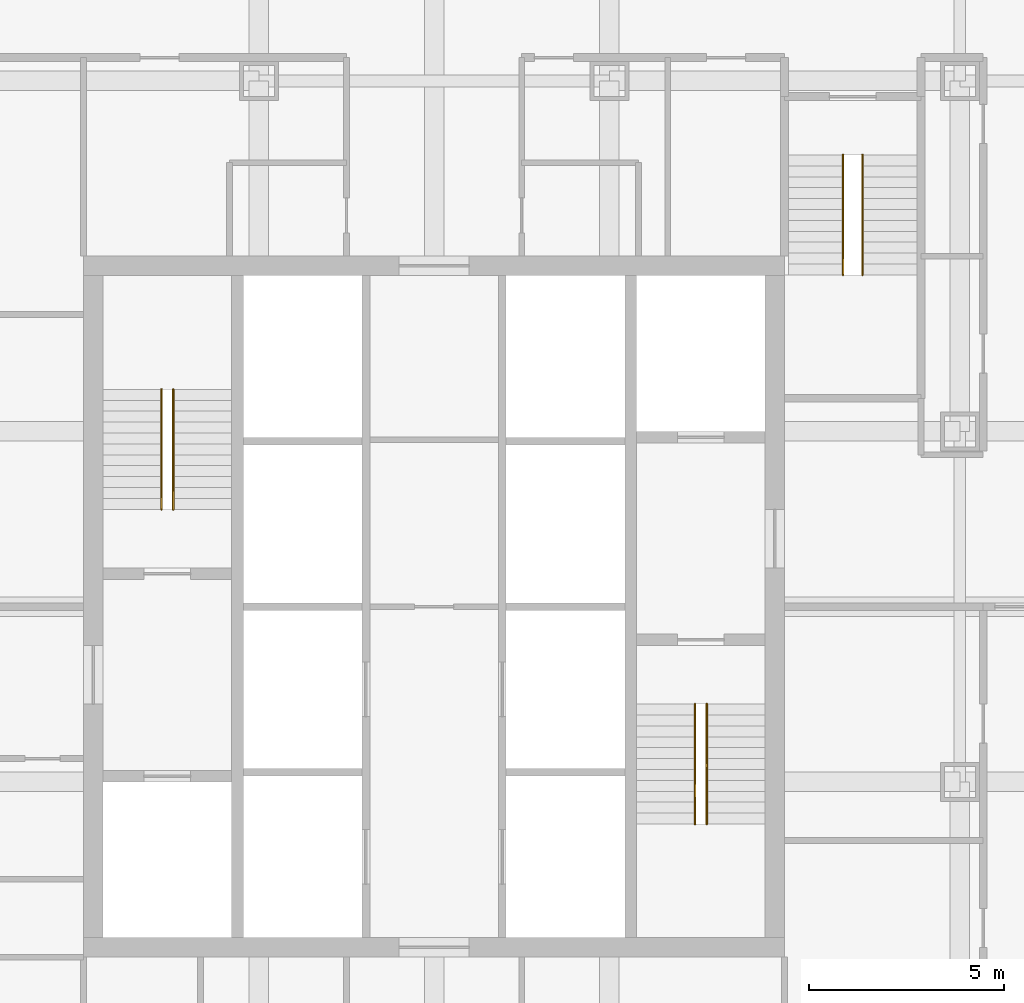
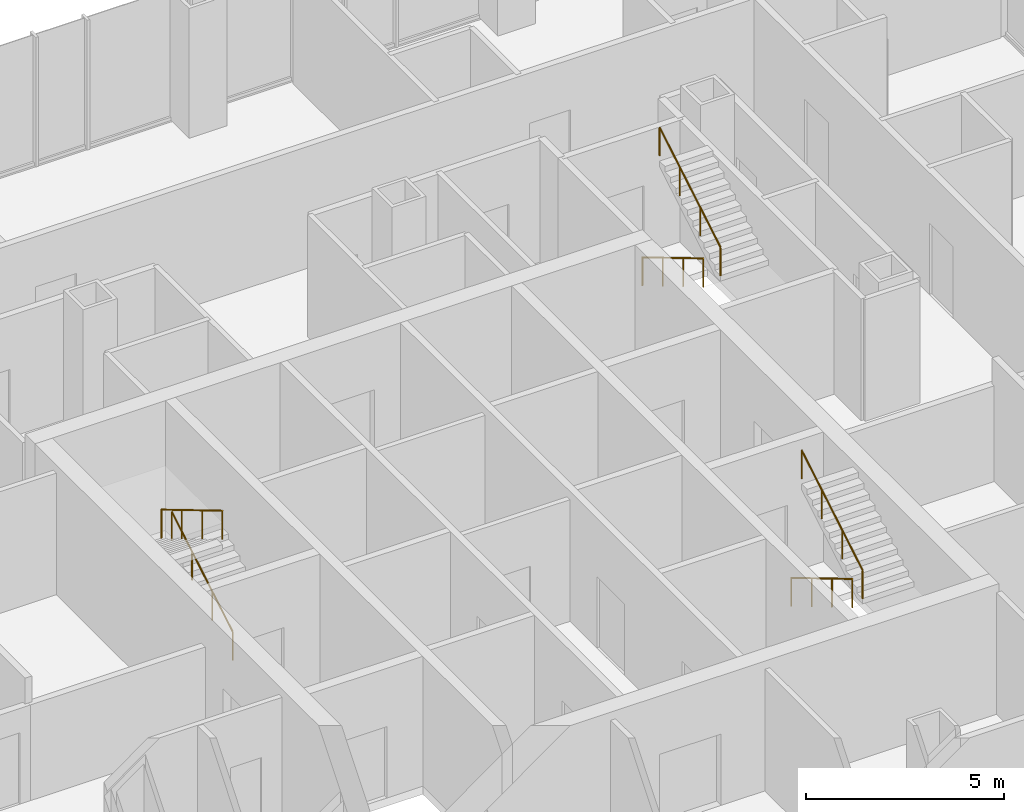
# One storey, part 17 of 21: 6 railings.
"""IFC4 building model written with IfcOpenShell, lengths in metres."""

from ifc_helpers import new_model, si_unit, direction, frame, origin, origin_2d, place, context, subcontext, project, spatial, circle, extrude, material, type_object, element, save


model = new_model("IFC4")

# Units and contexts
model_context = context("Model", 3, precision=1e-05, world=origin(), true_north=direction((0.0, 1.0)))
body_context = subcontext(model_context, "Body", "Model", "MODEL_VIEW")
ifc_project = project(units=[si_unit("LENGTHUNIT", "METRE"), si_unit("AREAUNIT", "SQUARE_METRE"), si_unit("VOLUMEUNIT", "CUBIC_METRE"), si_unit("PLANEANGLEUNIT", "RADIAN"), si_unit("MASSUNIT", "GRAM", prefix="KILO")], contexts=[model_context])

# Site, building, storey
site_placement = place(None, origin())
site = spatial("IfcSite", under=ifc_project, at=site_placement, CompositionType="ELEMENT")
building_placement = place(site_placement, origin())
building = spatial("IfcBuilding", under=site, at=building_placement, Name="Malebo Sky Hospital", CompositionType="ELEMENT")
storey_placement = place(building_placement, frame((0.0, 0.0, 140.0)))
storey = spatial("IfcBuildingStorey", under=building, at=storey_placement, Name="L33", CompositionType="ELEMENT", Elevation=140.0)

# Railings
ifc_material = material(Name="Stainless steel tube", Category="steel")
railing_type = type_object("IfcRailingType", Name="STAIR HANDRAIL 900", PredefinedType="HANDRAIL", material=ifc_material)
railing_1_placement = place(storey_placement, frame((53.300048828125, 64.5, 0.166748046875)))
element("IfcRailing", 1, at=railing_1_placement, inside=storey, type_object=railing_type, Name="Stair handrail S1 flight 1", PredefinedType="HANDRAIL", context=body_context, shape_type="SweptSolid", body=[
    extrude(circle(Radius=0.02392578125, at=origin_2d()), frame((0.0, 0.0, 0.8759765625), z_axis=(0.0, 0.859308565015, 0.511457515432), x_axis=(-1.0, 0.0, 0.0)), (0.0, 0.0, 1.0), 3.58447265625),
    extrude(circle(Radius=0.02099609375, at=origin_2d()), origin(), (0.0, 0.0, 1.0), 0.851806640625),
    extrude(circle(Radius=0.02099609375, at=origin_2d()), frame((0.0, 1.026611328125, 0.611083984375)), (0.0, 0.0, 1.0), 0.851806640625),
    extrude(circle(Radius=0.02099609375, at=origin_2d()), frame((0.0, 2.053466796875, 1.22216796875)), (0.0, 0.0, 1.0), 0.851806640625),
    extrude(circle(Radius=0.02099609375, at=origin_2d()), frame((0.0, 3.080078125, 1.833251953125)), (0.0, 0.0, 1.0), 0.851806640625),
])
for number, where, name in (
    (2, (53.0, 67.580078125, 2.166748046875), "Stair handrail S1 flight 2"),
    (3, (66.699951171875, 59.5, 0.166748046875), "Stair handrail S2 flight 1"),
):
    element("IfcRailing", number, at=place(storey_placement, frame(where)), inside=storey, type_object=railing_type, Name=name, PredefinedType="HANDRAIL", context=body_context, shape_type="SweptSolid", body=[
        extrude(circle(Radius=0.02392578125, at=origin_2d()), frame((0.0, 0.0, 0.8759765625), z_axis=(0.0, -0.859308565015, 0.511457515432), x_axis=(1.0, 0.0, 0.0)), (0.0, 0.0, 1.0), 3.58447265625),
        extrude(circle(Radius=0.02099609375, at=origin_2d()), origin(), (0.0, 0.0, 1.0), 0.851806640625),
        extrude(circle(Radius=0.02099609375, at=origin_2d()), frame((0.0, -1.026611328125, 0.611083984375)), (0.0, 0.0, 1.0), 0.851806640625),
        extrude(circle(Radius=0.02099609375, at=origin_2d()), frame((0.0, -2.053466796875, 1.22216796875)), (0.0, 0.0, 1.0), 0.851806640625),
        extrude(circle(Radius=0.02099609375, at=origin_2d()), frame((0.0, -3.080078125, 1.833251953125)), (0.0, 0.0, 1.0), 0.851806640625),
    ])
railing_2_placement = place(storey_placement, frame((67.0, 56.419921875, 2.166748046875)))
element("IfcRailing", 4, at=railing_2_placement, inside=storey, type_object=railing_type, Name="Stair handrail S2 flight 2", PredefinedType="HANDRAIL", context=body_context, shape_type="SweptSolid", body=[
    extrude(circle(Radius=0.02392578125, at=origin_2d()), frame((0.0, 0.0, 0.8759765625), z_axis=(0.0, 0.859308565015, 0.511457515432), x_axis=(-1.0, 0.0, 0.0)), (0.0, 0.0, 1.0), 3.58447265625),
    extrude(circle(Radius=0.02099609375, at=origin_2d()), origin(), (0.0, 0.0, 1.0), 0.851806640625),
    extrude(circle(Radius=0.02099609375, at=origin_2d()), frame((0.0, 1.026611328125, 0.611083984375)), (0.0, 0.0, 1.0), 0.851806640625),
    extrude(circle(Radius=0.02099609375, at=origin_2d()), frame((0.0, 2.053466796875, 1.22216796875)), (0.0, 0.0, 1.0), 0.851806640625),
    extrude(circle(Radius=0.02099609375, at=origin_2d()), frame((0.0, 3.080078125, 1.833251953125)), (0.0, 0.0, 1.0), 0.851806640625),
])
railing_3_placement = place(storey_placement, frame((70.5, 73.60009765625, 0.166748046875)))
element("IfcRailing", 5, at=railing_3_placement, inside=storey, type_object=railing_type, Name="Stair handrail S3 flight 1", PredefinedType="HANDRAIL", context=body_context, shape_type="SweptSolid", body=[
    extrude(circle(Radius=0.02392578125, at=origin_2d()), frame((0.0, 0.0, 0.8759765625), z_axis=(0.0, -0.859308565015, 0.511457515432), x_axis=(1.0, 0.0, 0.0)), (0.0, 0.0, 1.0), 3.58447265625),
    extrude(circle(Radius=0.02099609375, at=origin_2d()), origin(), (0.0, 0.0, 1.0), 0.851806640625),
    extrude(circle(Radius=0.02099609375, at=origin_2d()), frame((0.0, -1.026611328125, 0.611083984375)), (0.0, 0.0, 1.0), 0.851806640625),
    extrude(circle(Radius=0.02099609375, at=origin_2d()), frame((0.0, -2.053466796875, 1.22216796875)), (0.0, 0.0, 1.0), 0.851806640625),
    extrude(circle(Radius=0.02099609375, at=origin_2d()), frame((0.0, -3.080078125, 1.833251953125)), (0.0, 0.0, 1.0), 0.851806640625),
])
railing_4_placement = place(storey_placement, frame((71.0, 70.52001953125, 2.166748046875)))
element("IfcRailing", 6, at=railing_4_placement, inside=storey, type_object=railing_type, Name="Stair handrail S3 flight 2", PredefinedType="HANDRAIL", context=body_context, shape_type="SweptSolid", body=[
    extrude(circle(Radius=0.02392578125, at=origin_2d()), frame((0.0, 0.0, 0.8759765625), z_axis=(0.0, 0.859308565015, 0.511457515432), x_axis=(-1.0, 0.0, 0.0)), (0.0, 0.0, 1.0), 3.58447265625),
    extrude(circle(Radius=0.02099609375, at=origin_2d()), origin(), (0.0, 0.0, 1.0), 0.851806640625),
    extrude(circle(Radius=0.02099609375, at=origin_2d()), frame((0.0, 1.026611328125, 0.611083984375)), (0.0, 0.0, 1.0), 0.851806640625),
    extrude(circle(Radius=0.02099609375, at=origin_2d()), frame((0.0, 2.053466796875, 1.22216796875)), (0.0, 0.0, 1.0), 0.851806640625),
    extrude(circle(Radius=0.02099609375, at=origin_2d()), frame((0.0, 3.080078125, 1.833251953125)), (0.0, 0.0, 1.0), 0.851806640625),
])

save(model, "model.ifc")
